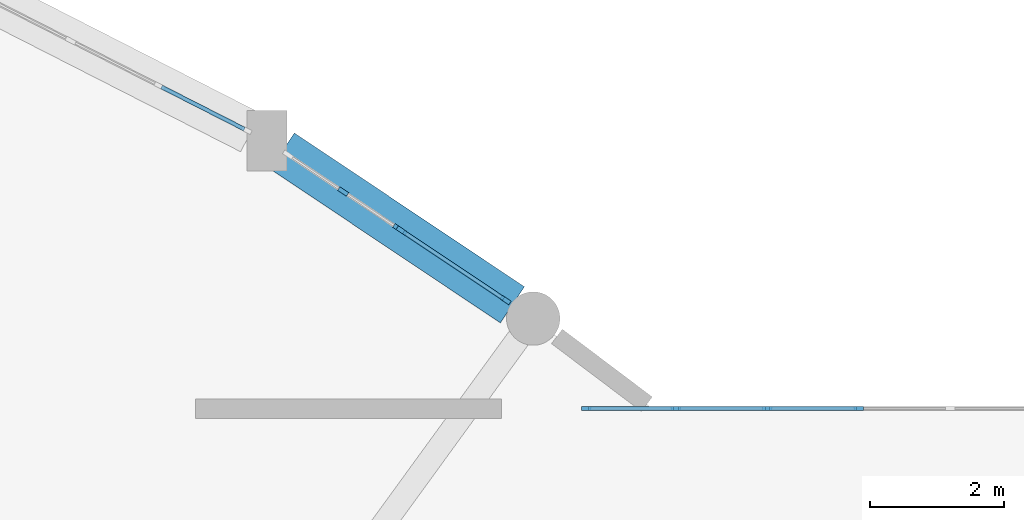
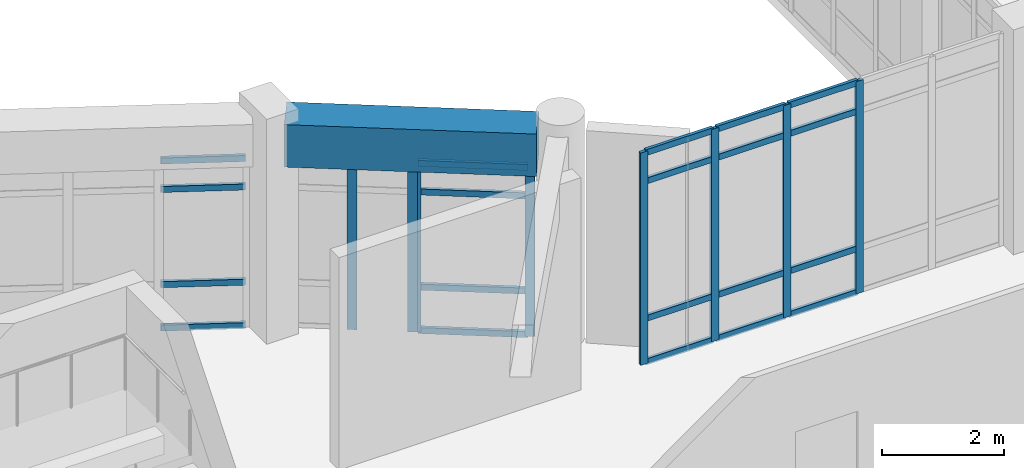
# One storey, part 18 of 57: 28 members, 1 beam, 4 elements without a shape of their own.
"""IFC4 building model written with IfcOpenShell, lengths in metres."""

from ifc_helpers import new_model, si_unit, direction, frame, origin, origin_2d, place, context, subcontext, project, spatial, rectangle, extrude, material, layer, layer_set, material_profile, profile_set, type_object, element, aggregate, save


model = new_model("IFC4")

# Units and contexts
model_context = context("Model", 3, precision=1e-05, world=origin(), true_north=direction((0.0, 1.0)))
body_context = subcontext(model_context, "Body", "Model", "MODEL_VIEW")
ifc_project = project(units=[si_unit("LENGTHUNIT", "METRE"), si_unit("AREAUNIT", "SQUARE_METRE"), si_unit("VOLUMEUNIT", "CUBIC_METRE"), si_unit("PLANEANGLEUNIT", "RADIAN"), si_unit("MASSUNIT", "GRAM", prefix="KILO")], contexts=[model_context])

# Site, building, storey
site_placement = place(None, origin())
site = spatial("IfcSite", under=ifc_project, at=site_placement, CompositionType="ELEMENT")
building_placement = place(site_placement, origin())
building = spatial("IfcBuilding", under=site, at=building_placement, Name="Miralva Faculty of Natural Sciences", CompositionType="ELEMENT")
storey_placement = place(building_placement, frame((0.0, 0.0, 15.0)))
storey = spatial("IfcBuildingStorey", under=building, at=storey_placement, Name="L03", CompositionType="ELEMENT", Elevation=15.0)

# Beam
ifc_material_1 = material(Name="Concrete C40/50", Category="concrete")
ifc_material_profile_1 = material_profile(ifc_material_1, rectangle(XDim=0.64990234375, YDim=0.85009765625, at=origin_2d()), Name="RC 650x850")
ifc_profile_set_1 = profile_set([ifc_material_profile_1], Name="Concrete C40/50")
beam_type = type_object("IfcBeamType", Name="BM-SP03", PredefinedType="SPANDREL", material=ifc_profile_set_1)
beam_placement = place(storey_placement, frame((125.5439453125, 28.554443359375, 3.8349609375), z_axis=(-0.831378794944, 0.555706126759, 0.0), x_axis=(-0.555706126759, -0.831378794944, 0.0)))
element("IfcBeam", 1, at=beam_placement, inside=storey, type_object=beam_type, Name="Curved chord girder SHOUT L03-1", PredefinedType="SPANDREL", context=body_context, shape_type="SweptSolid", body=[
    extrude(rectangle(XDim=0.64990234375, YDim=0.85009765625, at=origin_2d()), origin(), (0.0, 0.0, 1.0), 4.142822265625),
])

# Curtain wall, members
ifc_material_2 = material(Name="Laminated solar-control glass", Category="glass")
ifc_layer_1 = layer(ifc_material_2, 0.179931640625, Name="CW-ARC-L03")
ifc_layer_set_1 = layer_set([ifc_layer_1], Name="Laminated solar-control glass")
curtain_wall_type_1 = type_object("IfcCurtainWallType", Name="CW-ARC-L03", PredefinedType="USERDEFINED", material=ifc_layer_set_1)
curtain_wall_1_placement = place(storey_placement, origin())
curtain_wall_1 = element("IfcCurtainWall", 2, at=curtain_wall_1_placement, inside=storey, type_object=curtain_wall_type_1, Name="Curtain wall CW-03 L03-139", ObjectType="UNITISED CURTAIN WALL", PredefinedType="USERDEFINED")
ifc_material_3 = material(Name="Anodised aluminium", Category="aluminium")
ifc_material_profile_2 = material_profile(ifc_material_3, rectangle(XDim=0.06494140625, YDim=0.159912109375, at=origin_2d()), Name="MULLION 65x160")
ifc_profile_set_2 = profile_set([ifc_material_profile_2], Name="Anodised aluminium")
member_type_1 = type_object("IfcMemberType", Name="CW-M02", PredefinedType="MULLION", material=ifc_profile_set_2)
member_1_placement = place(storey_placement, frame((123.011474609375, 30.25, 0.0), z_axis=(0.0, 0.0, 1.0), x_axis=(0.555589230409, 0.831456918339, 0.0)))
member_1 = element("IfcMember", 3, at=member_1_placement, type_object=member_type_1, Name="CW-03 mullion 2", PredefinedType="MULLION", context=body_context, shape_type="SweptSolid", body=[
    extrude(rectangle(XDim=0.06494140625, YDim=0.159912109375, at=origin_2d()), origin(), (0.0, 0.0, 1.0), 3.405029296875),
])
member_2_placement = place(storey_placement, frame((123.836669921875, 29.698486328125, 0.0), z_axis=(0.0, 0.0, 1.0), x_axis=(0.555589230409, 0.831456918339, 0.0)))
member_2 = element("IfcMember", 4, at=member_2_placement, type_object=member_type_1, Name="CW-03 mullion 3", PredefinedType="MULLION", context=body_context, shape_type="SweptSolid", body=[
    extrude(rectangle(XDim=0.06494140625, YDim=0.159912109375, at=origin_2d()), origin(), (0.0, 0.0, 1.0), 3.405029296875),
])
aggregate(curtain_wall_1, [member_1, member_2])

curtain_wall_2_placement = place(storey_placement, origin())
curtain_wall_2 = element("IfcCurtainWall", 5, at=curtain_wall_2_placement, inside=storey, type_object=curtain_wall_type_1, Name="Curtain wall CW-03 L03-140", ObjectType="UNITISED CURTAIN WALL", PredefinedType="USERDEFINED")
member_3_placement = place(storey_placement, frame((123.886474609375, 29.665283203125, 0.0), z_axis=(0.0, 0.0, 1.0), x_axis=(0.555546724404, 0.831485319776, 0.0)))
member_3 = element("IfcMember", 6, at=member_3_placement, type_object=member_type_1, Name="CW-03 mullion 1", PredefinedType="MULLION", context=body_context, shape_type="SweptSolid", body=[
    extrude(rectangle(XDim=0.06494140625, YDim=0.159912109375, at=origin_2d()), origin(), (0.0, 0.0, 1.0), 3.405029296875),
])
member_4_placement = place(storey_placement, frame((125.441162109375, 28.62646484375, 0.0), z_axis=(0.0, 0.0, 1.0), x_axis=(0.555546724404, 0.831485319776, 0.0)))
member_4 = element("IfcMember", 7, at=member_4_placement, type_object=member_type_1, Name="CW-03 mullion 2", PredefinedType="MULLION", context=body_context, shape_type="SweptSolid", body=[
    extrude(rectangle(XDim=0.06494140625, YDim=0.159912109375, at=origin_2d()), origin(), (0.0, 0.0, 1.0), 3.405029296875),
])

ifc_layer_2 = layer(ifc_material_2, 0.179931640625, Name="CW-COM-L01")
ifc_layer_set_2 = layer_set([ifc_layer_2], Name="Laminated solar-control glass")
curtain_wall_type_2 = type_object("IfcCurtainWallType", Name="CW-COM-L01", PredefinedType="USERDEFINED", material=ifc_layer_set_2)
curtain_wall_3_placement = place(storey_placement, origin())
curtain_wall_3 = element("IfcCurtainWall", 8, at=curtain_wall_3_placement, inside=storey, type_object=curtain_wall_type_2, Name="Curtain wall CW-10 L03-305", ObjectType="UNITISED CURTAIN WALL", PredefinedType="USERDEFINED")
ifc_material_profile_3 = material_profile(ifc_material_3, rectangle(XDim=0.06005859375, YDim=0.139892578125, at=origin_2d()), Name="MULLION 60x140")
ifc_profile_set_3 = profile_set([ifc_material_profile_3], Name="Anodised aluminium")
member_type_2 = type_object("IfcMemberType", Name="CW-M03", PredefinedType="MULLION", material=ifc_profile_set_3)
member_5_placement = place(storey_placement, frame((126.64990234375, 27.0, 0.0), z_axis=(0.0, 0.0, 1.0), x_axis=(0.0, 1.0, 0.0)))
member_5 = element("IfcMember", 9, at=member_5_placement, type_object=member_type_2, Name="CW-10 mullion 1", PredefinedType="MULLION", context=body_context, shape_type="SweptSolid", body=[
    extrude(rectangle(XDim=0.06005859375, YDim=0.139892578125, at=origin_2d()), origin(), (0.0, 0.0, 1.0), 4.25),
])
member_6_placement = place(storey_placement, frame((127.989013671875, 27.0, 0.0), z_axis=(0.0, 0.0, 1.0), x_axis=(0.0, 1.0, 0.0)))
member_6 = element("IfcMember", 10, at=member_6_placement, type_object=member_type_2, Name="CW-10 mullion 2", PredefinedType="MULLION", context=body_context, shape_type="SweptSolid", body=[
    extrude(rectangle(XDim=0.06005859375, YDim=0.139892578125, at=origin_2d()), origin(), (0.0, 0.0, 1.0), 4.25),
])
member_7_placement = place(storey_placement, frame((129.35791015625, 27.0, 0.0), z_axis=(0.0, 0.0, 1.0), x_axis=(0.0, 1.0, 0.0)))
member_7 = element("IfcMember", 11, at=member_7_placement, type_object=member_type_2, Name="CW-10 mullion 3", PredefinedType="MULLION", context=body_context, shape_type="SweptSolid", body=[
    extrude(rectangle(XDim=0.06005859375, YDim=0.139892578125, at=origin_2d()), origin(), (0.0, 0.0, 1.0), 4.25),
])
member_8_placement = place(storey_placement, frame((130.72705078125, 27.0, 0.0), z_axis=(0.0, 0.0, 1.0), x_axis=(0.0, 1.0, 0.0)))
member_8 = element("IfcMember", 12, at=member_8_placement, type_object=member_type_2, Name="CW-10 mullion 4", PredefinedType="MULLION", context=body_context, shape_type="SweptSolid", body=[
    extrude(rectangle(XDim=0.06005859375, YDim=0.139892578125, at=origin_2d()), origin(), (0.0, 0.0, 1.0), 4.25),
])

curtain_wall_4_placement = place(storey_placement, origin())
curtain_wall_4 = element("IfcCurtainWall", 13, at=curtain_wall_4_placement, inside=storey, type_object=curtain_wall_type_1, Name="Curtain wall CW-03 L03-138", ObjectType="UNITISED CURTAIN WALL", PredefinedType="USERDEFINED")
ifc_material_profile_4 = material_profile(ifc_material_3, rectangle(XDim=0.06005859375, YDim=0.1201171875, at=origin_2d()), Name="TRANSOM 60x120")
ifc_profile_set_4 = profile_set([ifc_material_profile_4], Name="Anodised aluminium")
member_type_3 = type_object("IfcMemberType", Name="CW-T02", PredefinedType="USERDEFINED", material=ifc_profile_set_4)
member_9_placement = place(storey_placement, frame((120.291259765625, 31.816650390625, 0.030029296875), z_axis=(0.891004754487, -0.453993972958, 0.0), x_axis=(0.453993972958, 0.891004754487, 0.0)))
member_9 = element("IfcMember", 14, at=member_9_placement, type_object=member_type_3, Name="CW-03 transom 3.1", ObjectType="TRANSOM", PredefinedType="USERDEFINED", context=body_context, shape_type="SweptSolid", body=[
    extrude(rectangle(XDim=0.06005859375, YDim=0.1201171875, at=origin_2d()), origin(), (0.0, 0.0, 1.0), 1.39453125),
])
member_10_placement = place(storey_placement, frame((120.291259765625, 31.816650390625, 0.89990234375), z_axis=(0.891004754487, -0.453993972958, 0.0), x_axis=(0.453993972958, 0.891004754487, 0.0)))
member_10 = element("IfcMember", 15, at=member_10_placement, type_object=member_type_3, Name="CW-03 transom 3.2", ObjectType="TRANSOM", PredefinedType="USERDEFINED", context=body_context, shape_type="SweptSolid", body=[
    extrude(rectangle(XDim=0.06005859375, YDim=0.1201171875, at=origin_2d()), origin(), (0.0, 0.0, 1.0), 1.39453125),
])
member_11_placement = place(storey_placement, frame((120.291259765625, 31.816650390625, 2.804931640625), z_axis=(0.891004754487, -0.453993972958, 0.0), x_axis=(0.453993972958, 0.891004754487, 0.0)))
member_11 = element("IfcMember", 16, at=member_11_placement, type_object=member_type_3, Name="CW-03 transom 3.3", ObjectType="TRANSOM", PredefinedType="USERDEFINED", context=body_context, shape_type="SweptSolid", body=[
    extrude(rectangle(XDim=0.06005859375, YDim=0.1201171875, at=origin_2d()), origin(), (0.0, 0.0, 1.0), 1.39453125),
])
member_12_placement = place(storey_placement, frame((120.291259765625, 31.816650390625, 3.375), z_axis=(0.891004754487, -0.453993972958, 0.0), x_axis=(0.453993972958, 0.891004754487, 0.0)))
member_12 = element("IfcMember", 17, at=member_12_placement, type_object=member_type_3, Name="CW-03 transom 3.4", ObjectType="TRANSOM", PredefinedType="USERDEFINED", context=body_context, shape_type="SweptSolid", body=[
    extrude(rectangle(XDim=0.06005859375, YDim=0.1201171875, at=origin_2d()), origin(), (0.0, 0.0, 1.0), 1.39453125),
])
aggregate(curtain_wall_4, [member_9, member_10, member_11, member_12])

# Member
member_13_placement = place(storey_placement, frame((123.91357421875, 29.647216796875, 0.030029296875), z_axis=(0.831487987991, -0.555542730874, 0.0), x_axis=(0.555542730874, 0.831487987991, 0.0)))
member_13 = element("IfcMember", 18, at=member_13_placement, type_object=member_type_3, Name="CW-03 transom 1.1", ObjectType="TRANSOM", PredefinedType="USERDEFINED", context=body_context, shape_type="SweptSolid", body=[
    extrude(rectangle(XDim=0.06005859375, YDim=0.1201171875, at=origin_2d()), origin(), (0.0, 0.0, 1.0), 1.804931640625),
])

member_14_placement = place(storey_placement, frame((123.91357421875, 29.647216796875, 0.89990234375), z_axis=(0.831487987991, -0.555542730874, 0.0), x_axis=(0.555542730874, 0.831487987991, 0.0)))
member_14 = element("IfcMember", 19, at=member_14_placement, type_object=member_type_3, Name="CW-03 transom 1.2", ObjectType="TRANSOM", PredefinedType="USERDEFINED", context=body_context, shape_type="SweptSolid", body=[
    extrude(rectangle(XDim=0.06005859375, YDim=0.1201171875, at=origin_2d()), origin(), (0.0, 0.0, 1.0), 1.804931640625),
])

member_15_placement = place(storey_placement, frame((123.91357421875, 29.647216796875, 2.804931640625), z_axis=(0.831487987991, -0.555542730874, 0.0), x_axis=(0.555542730874, 0.831487987991, 0.0)))
member_15 = element("IfcMember", 20, at=member_15_placement, type_object=member_type_3, Name="CW-03 transom 1.3", ObjectType="TRANSOM", PredefinedType="USERDEFINED", context=body_context, shape_type="SweptSolid", body=[
    extrude(rectangle(XDim=0.06005859375, YDim=0.1201171875, at=origin_2d()), origin(), (0.0, 0.0, 1.0), 1.804931640625),
])

member_16_placement = place(storey_placement, frame((123.91357421875, 29.647216796875, 3.375), z_axis=(0.831487987991, -0.555542730874, 0.0), x_axis=(0.555542730874, 0.831487987991, 0.0)))
member_16 = element("IfcMember", 21, at=member_16_placement, type_object=member_type_3, Name="CW-03 transom 1.4", ObjectType="TRANSOM", PredefinedType="USERDEFINED", context=body_context, shape_type="SweptSolid", body=[
    extrude(rectangle(XDim=0.06005859375, YDim=0.1201171875, at=origin_2d()), origin(), (0.0, 0.0, 1.0), 1.804931640625),
])

aggregate(curtain_wall_2, [member_3, member_4, member_13, member_14, member_15, member_16])

member_17_placement = place(storey_placement, frame((126.679931640625, 27.0, 0.030029296875), z_axis=(1.0, 0.0, 0.0), x_axis=(0.0, 1.0, 0.0)))
member_17 = element("IfcMember", 22, at=member_17_placement, type_object=member_type_3, Name="CW-10 transom 1.1", ObjectType="TRANSOM", PredefinedType="USERDEFINED", context=body_context, shape_type="SweptSolid", body=[
    extrude(rectangle(XDim=0.06005859375, YDim=0.1201171875, at=origin_2d()), origin(), (0.0, 0.0, 1.0), 1.279052734375),
])

member_18_placement = place(storey_placement, frame((126.679931640625, 27.0, 0.89990234375), z_axis=(1.0, 0.0, 0.0), x_axis=(0.0, 1.0, 0.0)))
member_18 = element("IfcMember", 23, at=member_18_placement, type_object=member_type_3, Name="CW-10 transom 1.2", ObjectType="TRANSOM", PredefinedType="USERDEFINED", context=body_context, shape_type="SweptSolid", body=[
    extrude(rectangle(XDim=0.06005859375, YDim=0.1201171875, at=origin_2d()), origin(), (0.0, 0.0, 1.0), 1.279052734375),
])

member_19_placement = place(storey_placement, frame((126.679931640625, 27.0, 3.64990234375), z_axis=(1.0, 0.0, 0.0), x_axis=(0.0, 1.0, 0.0)))
member_19 = element("IfcMember", 24, at=member_19_placement, type_object=member_type_3, Name="CW-10 transom 1.3", ObjectType="TRANSOM", PredefinedType="USERDEFINED", context=body_context, shape_type="SweptSolid", body=[
    extrude(rectangle(XDim=0.06005859375, YDim=0.1201171875, at=origin_2d()), origin(), (0.0, 0.0, 1.0), 1.279052734375),
])

member_20_placement = place(storey_placement, frame((126.679931640625, 27.0, 4.219970703125), z_axis=(1.0, 0.0, 0.0), x_axis=(0.0, 1.0, 0.0)))
member_20 = element("IfcMember", 25, at=member_20_placement, type_object=member_type_3, Name="CW-10 transom 1.4", ObjectType="TRANSOM", PredefinedType="USERDEFINED", context=body_context, shape_type="SweptSolid", body=[
    extrude(rectangle(XDim=0.06005859375, YDim=0.1201171875, at=origin_2d()), origin(), (0.0, 0.0, 1.0), 1.279052734375),
])

member_21_placement = place(storey_placement, frame((128.01904296875, 27.0, 0.030029296875), z_axis=(1.0, 0.0, 0.0), x_axis=(0.0, 1.0, 0.0)))
member_21 = element("IfcMember", 26, at=member_21_placement, type_object=member_type_3, Name="CW-10 transom 2.1", ObjectType="TRANSOM", PredefinedType="USERDEFINED", context=body_context, shape_type="SweptSolid", body=[
    extrude(rectangle(XDim=0.06005859375, YDim=0.1201171875, at=origin_2d()), origin(), (0.0, 0.0, 1.0), 1.308837890625),
])

member_22_placement = place(storey_placement, frame((128.01904296875, 27.0, 0.89990234375), z_axis=(1.0, 0.0, 0.0), x_axis=(0.0, 1.0, 0.0)))
member_22 = element("IfcMember", 27, at=member_22_placement, type_object=member_type_3, Name="CW-10 transom 2.2", ObjectType="TRANSOM", PredefinedType="USERDEFINED", context=body_context, shape_type="SweptSolid", body=[
    extrude(rectangle(XDim=0.06005859375, YDim=0.1201171875, at=origin_2d()), origin(), (0.0, 0.0, 1.0), 1.308837890625),
])

member_23_placement = place(storey_placement, frame((128.01904296875, 27.0, 3.64990234375), z_axis=(1.0, 0.0, 0.0), x_axis=(0.0, 1.0, 0.0)))
member_23 = element("IfcMember", 28, at=member_23_placement, type_object=member_type_3, Name="CW-10 transom 2.3", ObjectType="TRANSOM", PredefinedType="USERDEFINED", context=body_context, shape_type="SweptSolid", body=[
    extrude(rectangle(XDim=0.06005859375, YDim=0.1201171875, at=origin_2d()), origin(), (0.0, 0.0, 1.0), 1.308837890625),
])

member_24_placement = place(storey_placement, frame((128.01904296875, 27.0, 4.219970703125), z_axis=(1.0, 0.0, 0.0), x_axis=(0.0, 1.0, 0.0)))
member_24 = element("IfcMember", 29, at=member_24_placement, type_object=member_type_3, Name="CW-10 transom 2.4", ObjectType="TRANSOM", PredefinedType="USERDEFINED", context=body_context, shape_type="SweptSolid", body=[
    extrude(rectangle(XDim=0.06005859375, YDim=0.1201171875, at=origin_2d()), origin(), (0.0, 0.0, 1.0), 1.308837890625),
])

member_25_placement = place(storey_placement, frame((129.387939453125, 27.0, 0.030029296875), z_axis=(1.0, 0.0, 0.0), x_axis=(0.0, 1.0, 0.0)))
member_25 = element("IfcMember", 30, at=member_25_placement, type_object=member_type_3, Name="CW-10 transom 3.1", ObjectType="TRANSOM", PredefinedType="USERDEFINED", context=body_context, shape_type="SweptSolid", body=[
    extrude(rectangle(XDim=0.06005859375, YDim=0.1201171875, at=origin_2d()), origin(), (0.0, 0.0, 1.0), 1.30908203125),
])

member_26_placement = place(storey_placement, frame((129.387939453125, 27.0, 0.89990234375), z_axis=(1.0, 0.0, 0.0), x_axis=(0.0, 1.0, 0.0)))
member_26 = element("IfcMember", 31, at=member_26_placement, type_object=member_type_3, Name="CW-10 transom 3.2", ObjectType="TRANSOM", PredefinedType="USERDEFINED", context=body_context, shape_type="SweptSolid", body=[
    extrude(rectangle(XDim=0.06005859375, YDim=0.1201171875, at=origin_2d()), origin(), (0.0, 0.0, 1.0), 1.30908203125),
])

member_27_placement = place(storey_placement, frame((129.387939453125, 27.0, 3.64990234375), z_axis=(1.0, 0.0, 0.0), x_axis=(0.0, 1.0, 0.0)))
member_27 = element("IfcMember", 32, at=member_27_placement, type_object=member_type_3, Name="CW-10 transom 3.3", ObjectType="TRANSOM", PredefinedType="USERDEFINED", context=body_context, shape_type="SweptSolid", body=[
    extrude(rectangle(XDim=0.06005859375, YDim=0.1201171875, at=origin_2d()), origin(), (0.0, 0.0, 1.0), 1.30908203125),
])

member_28_placement = place(storey_placement, frame((129.387939453125, 27.0, 4.219970703125), z_axis=(1.0, 0.0, 0.0), x_axis=(0.0, 1.0, 0.0)))
member_28 = element("IfcMember", 33, at=member_28_placement, type_object=member_type_3, Name="CW-10 transom 3.4", ObjectType="TRANSOM", PredefinedType="USERDEFINED", context=body_context, shape_type="SweptSolid", body=[
    extrude(rectangle(XDim=0.06005859375, YDim=0.1201171875, at=origin_2d()), origin(), (0.0, 0.0, 1.0), 1.30908203125),
])

aggregate(curtain_wall_3, [member_5, member_6, member_7, member_8, member_17, member_18, member_19, member_20, member_21, member_22, member_23, member_24, member_25, member_26, member_27, member_28])

save(model, "model.ifc")
